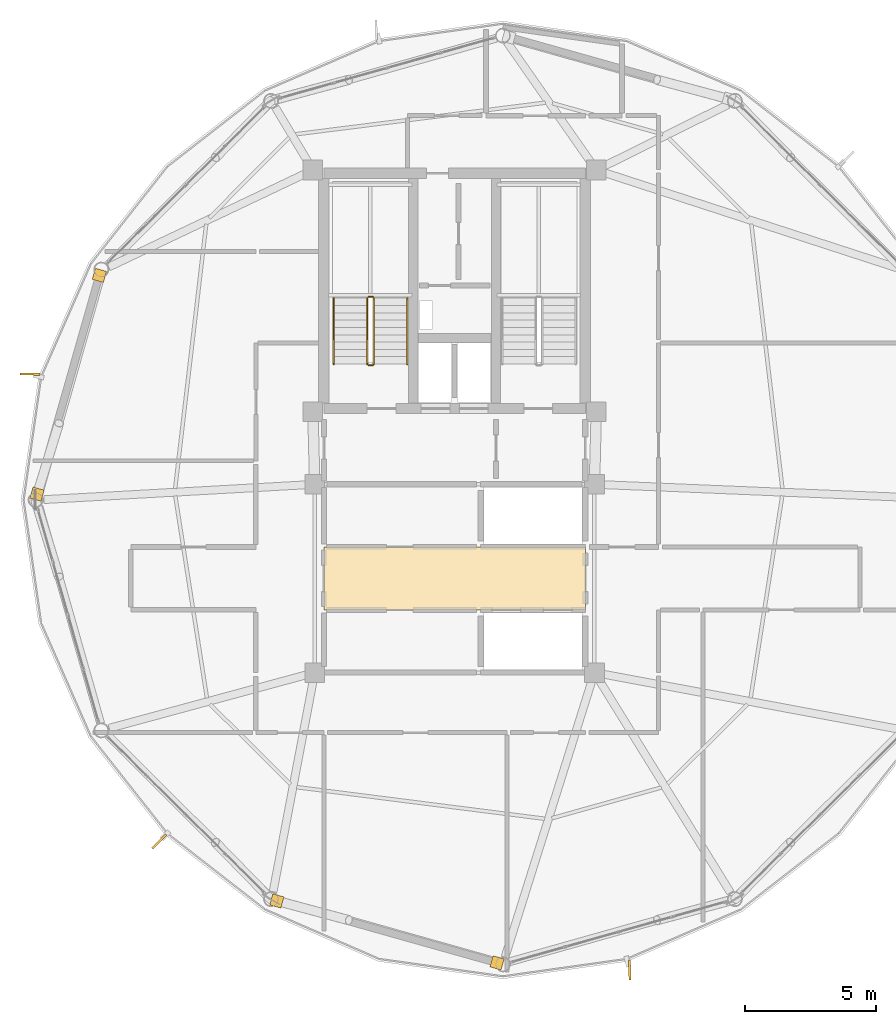
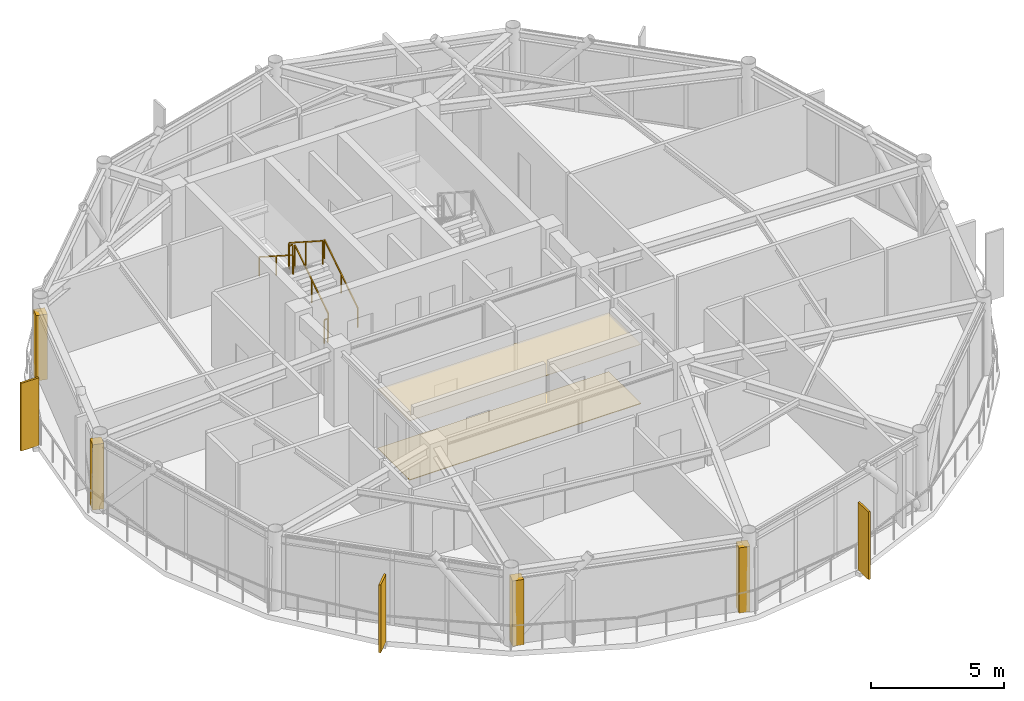
# One storey, part 22 of 24: 6 coverings, 6 railings, 3 shading devices.
"""IFC4 building model written with IfcOpenShell, lengths in metres."""

from ifc_helpers import new_model, si_unit, direction, frame, origin, origin_2d, place, context, subcontext, project, spatial, polyline, rectangle, outline, extrude, source, transform, mapped, material, layer, layer_set, type_object, type_shapes, element, save


model = new_model("IFC4")

# Units and contexts
model_context = context("Model", 3, precision=1e-05, world=origin(), true_north=direction((0.0, 1.0)))
body_context = subcontext(model_context, "Body", "Model", "MODEL_VIEW")
ifc_project = project(units=[si_unit("LENGTHUNIT", "METRE"), si_unit("AREAUNIT", "SQUARE_METRE"), si_unit("VOLUMEUNIT", "CUBIC_METRE"), si_unit("PLANEANGLEUNIT", "RADIAN"), si_unit("MASSUNIT", "GRAM", prefix="KILO")], contexts=[model_context])

# Site, building, storey
site_placement = place(None, origin())
site = spatial("IfcSite", under=ifc_project, at=site_placement, CompositionType="ELEMENT")
building_placement = place(site_placement, origin())
building = spatial("IfcBuilding", under=site, at=building_placement, Name="Varnakorn Sky Granary", CompositionType="ELEMENT")
storey_placement = place(building_placement, frame((0.0, 0.0, 281.39990234375)))
storey = spatial("IfcBuildingStorey", under=building, at=storey_placement, Name="L72", CompositionType="ELEMENT", Elevation=281.39990234375)

# Coverings
ifc_material_1 = material(Name="Perforated Acoustic Mineral-Fibre Ceiling", Category="gypsum")
ifc_layer_1 = layer(ifc_material_1, 0.02001953125, Name="Perforated Acoustic Mineral-Fibre Ceiling")
ifc_layer_set_1 = layer_set([ifc_layer_1], Name="Perforated Acoustic Mineral-Fibre Ceiling")
covering_type_1 = type_object("IfcCoveringType", Name="CV-CEIL-20", PredefinedType="CEILING", material=ifc_layer_set_1)
covering_1_placement = place(storey_placement, frame((0.0, 0.0, 2.710205078125)))
element("IfcCovering", 1, at=covering_1_placement, inside=storey, type_object=covering_type_1, Name="Lift Lobby Perforated Acoustic Ceiling L72", PredefinedType="CEILING", context=body_context, shape_type="SweptSolid", body=[
    extrude(outline(polyline([(-2.0, -4.199951171875), (8.0, -4.199951171875), (8.0, -1.800048828125), (-2.0, -1.800048828125), (-2.0, -4.199951171875)])), origin(), (0.0, 0.0, 1.0), 0.019775390625),
])
ifc_material_2 = material(Name="Honed Epoxy Terrazzo Topping", Category="concrete")
ifc_layer_2 = layer(ifc_material_2, 0.030029296875, Name="Honed Epoxy Terrazzo Topping")
ifc_layer_set_2 = layer_set([ifc_layer_2], Name="Honed Epoxy Terrazzo Topping")
covering_type_2 = type_object("IfcCoveringType", Name="CV-FLOR-30", PredefinedType="FLOORING", material=ifc_layer_set_2)
covering_2_placement = place(storey_placement, origin())
element("IfcCovering", 2, at=covering_2_placement, inside=storey, type_object=covering_type_2, Name="Lift Lobby Terrazzo Floor Finish L72", PredefinedType="FLOORING", context=body_context, shape_type="SweptSolid", body=[
    extrude(outline(polyline([(-2.0, -4.199951171875), (8.0, -4.199951171875), (8.0, -1.800048828125), (-2.0, -1.800048828125), (-2.0, -4.199951171875)])), origin(), (0.0, 0.0, 1.0), 0.030029296875),
])

# Railings
ifc_material_3 = material(Name="Brushed Stainless Steel 316", Category="steel")
railing_type_1 = type_object("IfcRailingType", Name="RL-STAIR-1100", PredefinedType="GUARDRAIL", material=ifc_material_3)
railing_1_placement = place(storey_placement, frame((-0.090087890625, 5.199951171875, 0.18017578125)))
element("IfcRailing", 3, at=railing_1_placement, inside=storey, type_object=railing_type_1, Name="L72 ST-1 stair guard 1", PredefinedType="GUARDRAIL", context=body_context, shape_type="SweptSolid", body=[
    extrude(rectangle(XDim=0.048095703125, YDim=0.048095703125, at=origin_2d()), frame((0.0, 0.0, 1.076171875), z_axis=(0.0, 0.841199657755, 0.540724639528), x_axis=(-1.0, 0.0, 0.0)), (0.0, 0.0, 1.0), 2.995849609375),
    extrude(rectangle(XDim=0.0419921875, YDim=0.0419921875, at=origin_2d()), origin(), (0.0, 0.0, 1.0), 1.048095703125),
    extrude(rectangle(XDim=0.0419921875, YDim=0.0419921875, at=origin_2d()), frame((0.0, 1.260009765625, 0.81005859375)), (0.0, 0.0, 1.0), 1.048095703125),
    extrude(rectangle(XDim=0.0419921875, YDim=0.0419921875, at=origin_2d()), frame((0.0, 2.52001953125, 1.619873046875)), (0.0, 0.0, 1.0), 1.048095703125),
])
railing_2_placement = place(storey_placement, frame((-0.139892578125, 7.77001953125, 1.800048828125)))
element("IfcRailing", 4, at=railing_2_placement, inside=storey, type_object=railing_type_1, Name="L72 ST-1 stair guard 2", PredefinedType="GUARDRAIL", context=body_context, shape_type="SweptSolid", body=[
    extrude(rectangle(XDim=0.048095703125, YDim=0.048095703125, at=origin_2d()), frame((0.0, 0.0, 1.076171875), z_axis=(-1.0, 0.0, 0.0), x_axis=(0.0, -1.0, 0.0)), (0.0, 0.0, 1.0), 0.150146484375),
    extrude(rectangle(XDim=0.0419921875, YDim=0.0419921875, at=origin_2d()), origin(), (0.0, 0.0, 1.0), 1.048095703125),
    extrude(rectangle(XDim=0.0419921875, YDim=0.0419921875, at=origin_2d()), frame((-0.150146484375, 0.0, 0.0)), (0.0, 0.0, 1.0), 1.048095703125),
])
railing_3_placement = place(storey_placement, frame((-0.340087890625, 7.719970703125, 1.97998046875)))
element("IfcRailing", 5, at=railing_3_placement, inside=storey, type_object=railing_type_1, Name="L72 ST-1 stair guard 3", PredefinedType="GUARDRAIL", context=body_context, shape_type="SweptSolid", body=[
    extrude(rectangle(XDim=0.048095703125, YDim=0.048095703125, at=origin_2d()), frame((0.0, 0.0, 1.076171875), z_axis=(0.0, -0.841162588446, 0.540782303519), x_axis=(1.0, 0.0, 0.0)), (0.0, 0.0, 1.0), 2.995849609375),
    extrude(rectangle(XDim=0.0419921875, YDim=0.0419921875, at=origin_2d()), origin(), (0.0, 0.0, 1.0), 1.048095703125),
    extrude(rectangle(XDim=0.0419921875, YDim=0.0419921875, at=origin_2d()), frame((0.0, -1.260009765625, 0.81005859375)), (0.0, 0.0, 1.0), 1.048095703125),
    extrude(rectangle(XDim=0.0419921875, YDim=0.0419921875, at=origin_2d()), frame((0.0, -2.52001953125, 1.6201171875)), (0.0, 0.0, 1.0), 1.048095703125),
])
railing_4_placement = place(storey_placement, frame((-0.139892578125, 5.14990234375, 0.0)))
element("IfcRailing", 6, at=railing_4_placement, inside=storey, type_object=railing_type_1, Name="L72 ST-1 stair guard 4", PredefinedType="GUARDRAIL", context=body_context, shape_type="SweptSolid", body=[
    extrude(rectangle(XDim=0.048095703125, YDim=0.048095703125, at=origin_2d()), frame((0.0, 0.0, 1.076171875), z_axis=(-1.0, 0.0, 0.0), x_axis=(0.0, -1.0, 0.0)), (0.0, 0.0, 1.0), 0.150146484375),
    extrude(rectangle(XDim=0.0419921875, YDim=0.0419921875, at=origin_2d()), origin(), (0.0, 0.0, 1.0), 1.048095703125),
    extrude(rectangle(XDim=0.0419921875, YDim=0.0419921875, at=origin_2d()), frame((-0.150146484375, 0.0, 0.0)), (0.0, 0.0, 1.0), 1.048095703125),
])
railing_type_2 = type_object("IfcRailingType", Name="RL-STAIR-920", PredefinedType="HANDRAIL", material=ifc_material_3)
railing_5_placement = place(storey_placement, frame((1.18994140625, 5.199951171875, 0.18017578125)))
element("IfcRailing", 7, at=railing_5_placement, inside=storey, type_object=railing_type_2, Name="L72 ST-1 stair handrail 1", PredefinedType="HANDRAIL", context=body_context, shape_type="SweptSolid", body=[
    extrude(rectangle(XDim=0.048095703125, YDim=0.048095703125, at=origin_2d()), frame((0.0, 0.0, 0.8759765625), z_axis=(0.0, 0.841199657755, 0.540724639528), x_axis=(-1.0, 0.0, 0.0)), (0.0, 0.0, 1.0), 2.995849609375),
    extrude(rectangle(XDim=0.0419921875, YDim=0.0419921875, at=origin_2d()), origin(), (0.0, 0.0, 1.0), 0.847900390625),
    extrude(rectangle(XDim=0.0419921875, YDim=0.0419921875, at=origin_2d()), frame((0.0, 1.260009765625, 0.81005859375)), (0.0, 0.0, 1.0), 0.847900390625),
    extrude(rectangle(XDim=0.0419921875, YDim=0.0419921875, at=origin_2d()), frame((0.0, 2.52001953125, 1.619873046875)), (0.0, 0.0, 1.0), 0.847900390625),
])
railing_6_placement = place(storey_placement, frame((-1.6201171875, 7.719970703125, 1.97998046875)))
element("IfcRailing", 8, at=railing_6_placement, inside=storey, type_object=railing_type_2, Name="L72 ST-1 stair handrail 2", PredefinedType="HANDRAIL", context=body_context, shape_type="SweptSolid", body=[
    extrude(rectangle(XDim=0.048095703125, YDim=0.048095703125, at=origin_2d()), frame((0.0, 0.0, 0.8759765625), z_axis=(0.0, -0.841162588446, 0.540782303519), x_axis=(1.0, 0.0, 0.0)), (0.0, 0.0, 1.0), 2.995849609375),
    extrude(rectangle(XDim=0.0419921875, YDim=0.0419921875, at=origin_2d()), origin(), (0.0, 0.0, 1.0), 0.847900390625),
    extrude(rectangle(XDim=0.0419921875, YDim=0.0419921875, at=origin_2d()), frame((0.0, -1.260009765625, 0.81005859375)), (0.0, 0.0, 1.0), 0.847900390625),
    extrude(rectangle(XDim=0.0419921875, YDim=0.0419921875, at=origin_2d()), frame((0.0, -2.52001953125, 1.6201171875)), (0.0, 0.0, 1.0), 0.847900390625),
])

# Coverings
ifc_material_4 = material(Name="Anodised Bronze Aluminium Alloy 6063-T6", Category="aluminium")
ifc_layer_3 = layer(ifc_material_4, 0.050048828125, Name="Anodised Bronze Aluminium Alloy 6063-T6")
ifc_layer_set_3 = layer_set([ifc_layer_3], Name="Anodised Bronze Aluminium Alloy 6063-T6")
covering_type_3 = type_object("IfcCoveringType", Name="CV-CLAD-50", PredefinedType="CLADDING", material=ifc_layer_set_3)
shared_shape_1 = source(origin(), body_context, "Body", "SweptSolid", [
    extrude(rectangle(XDim=0.43994140625, YDim=0.43994140625, at=origin_2d()), origin(), (0.0, 0.0, 1.0), 2.989990234375),
])
type_shapes(covering_type_3, [shared_shape_1])
for number, where, z_axis, x_axis, name in (
    (9, (-12.970703125, 0.2255859375, -0.02001953125), (0.0, 0.0, 1.0), (0.274127070043, 0.961693479997, 0.0), "Bronze Corner Pilaster Closure L72-P06-A"),
    (10, (-10.586181640625, 8.591064453125, -0.02001953125), (0.0, 0.0, 1.0), (0.274127070043, 0.961693479997, 0.0), "Bronze Corner Pilaster Closure L72-P06-B"),
    (11, (4.624267578125, -17.70458984375, -0.02001953125), (0.0, 0.0, 1.0), (-0.962597230403, 0.270936472296, 0.0), "Bronze Corner Pilaster Closure L72-P09-A"),
    (12, (-3.79931640625, -15.333984375, -0.02001953125), (0.0, 0.0, 1.0), (-0.962597230403, 0.270936472296, 0.0), "Bronze Corner Pilaster Closure L72-P09-B"),
):
    element("IfcCovering", number, at=place(storey_placement, frame(where, z_axis=z_axis, x_axis=x_axis)), inside=storey, type_object=covering_type_3, Name=name, PredefinedType="CLADDING", context=body_context, shape_type="MappedRepresentation", body=[
        mapped(shared_shape_1, transform((0.0, 0.0, 0.0), x_axis=(1.0, 0.0, 0.0), y_axis=(0.0, 1.0, 0.0), z_axis=(0.0, 0.0, 1.0), scale=1.0)),
    ])

# Shading devices
shading_device_type = type_object("IfcShadingDeviceType", Name="SH-FIN-03", PredefinedType="USERDEFINED", material=ifc_material_4)
shared_shape_2 = source(origin(), body_context, "Body", "SweptSolid", [
    extrude(rectangle(XDim=0.0849609375, YDim=0.760009765625, at=origin_2d()), origin(), (0.0, 0.0, 1.0), 3.10009765625),
])
type_shapes(shading_device_type, [shared_shape_2])
for number, where, z_axis, x_axis, name in (
    (13, (-13.241943359375, 4.816650390625, -0.0400390625), (0.0, 0.0, 1.0), (-0.01790733424, -0.999839650834, 0.0), "Bronze Solar-Tracking Vertical Blade FIN L72-06"),
    (14, (-8.2998046875, -13.064697265625, -0.0400390625), (0.0, 0.0, 1.0), (0.706094911595, -0.708117204861, 0.0), "Bronze Solar-Tracking Vertical Blade FIN L72-08"),
    (15, (9.698486328125, -17.978515625, -0.0400390625), (0.0, 0.0, 1.0), (0.999757600889, 0.022016799605, 0.0), "Bronze Solar-Tracking Vertical Blade FIN L72-10"),
):
    element("IfcShadingDevice", number, at=place(storey_placement, frame(where, z_axis=z_axis, x_axis=x_axis)), inside=storey, type_object=shading_device_type, Name=name, ObjectType="FIN", PredefinedType="USERDEFINED", context=body_context, shape_type="MappedRepresentation", body=[
        mapped(shared_shape_2, transform((0.0, 0.0, 0.0), x_axis=(1.0, 0.0, 0.0), y_axis=(0.0, 1.0, 0.0), z_axis=(0.0, 0.0, 1.0), scale=1.0)),
    ])

save(model, "model.ifc")
